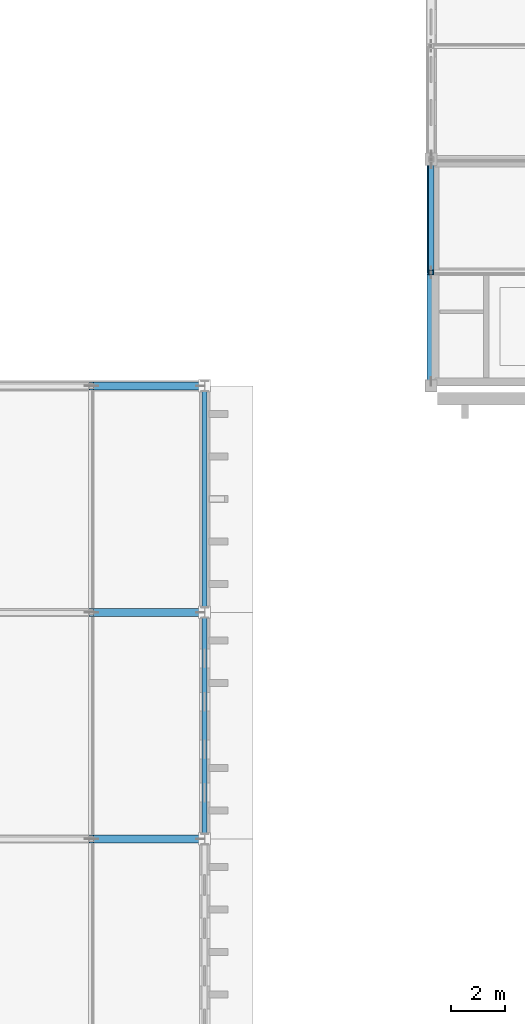
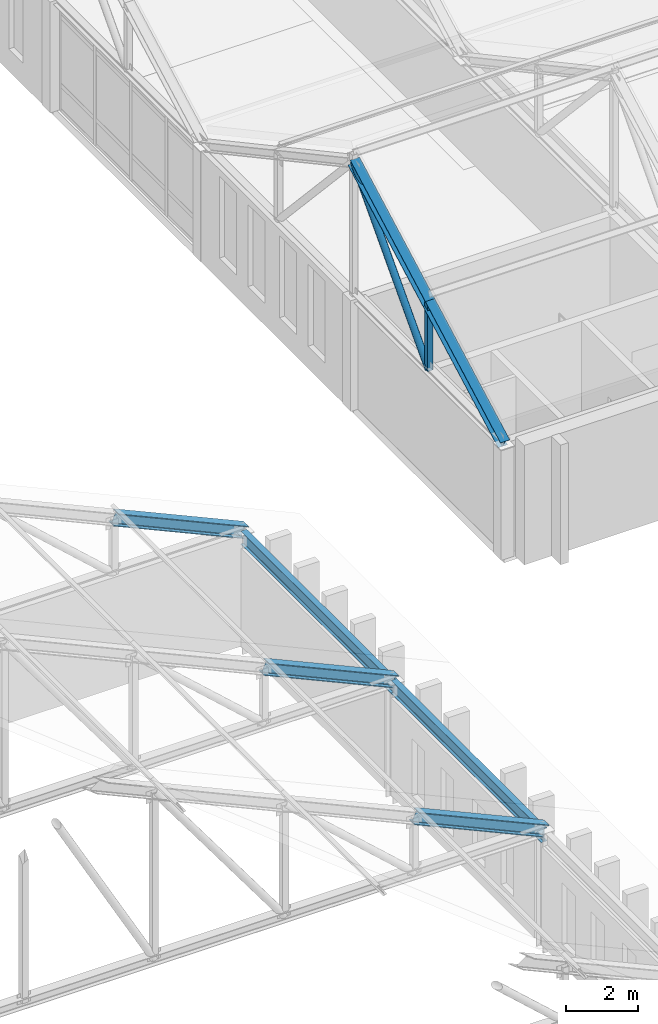
# One storey, part 25 of 110: 7 members, 2 beams.
"""IFC4 building model written with IfcOpenShell, lengths in metres."""

from ifc_helpers import new_model, si_unit, direction, frame, origin, origin_2d, place, context, subcontext, project, spatial, hollow_rectangle, hollow_circle, i_section, extrude, material, material_profile, profile_set, type_object, element, save


model = new_model("IFC4")

# Units and contexts
model_context = context("Model", 3, precision=1e-05, world=origin(), true_north=direction((0.0, 1.0)))
body_context = subcontext(model_context, "Body", "Model", "MODEL_VIEW")
ifc_project = project(units=[si_unit("LENGTHUNIT", "METRE"), si_unit("AREAUNIT", "SQUARE_METRE"), si_unit("VOLUMEUNIT", "CUBIC_METRE"), si_unit("PLANEANGLEUNIT", "RADIAN"), si_unit("MASSUNIT", "GRAM", prefix="KILO")], contexts=[model_context])

# Site, building, storey
site_placement = place(None, origin())
site = spatial("IfcSite", under=ifc_project, at=site_placement, CompositionType="ELEMENT")
building_placement = place(site_placement, origin())
building = spatial("IfcBuilding", under=site, at=building_placement, Name="Kveldsbrygga Polytechnic", CompositionType="ELEMENT")
storey_placement = place(building_placement, frame((0.0, 0.0, 9.860107421875)))
storey = spatial("IfcBuildingStorey", under=building, at=storey_placement, Name="L02", CompositionType="ELEMENT", Elevation=9.860107421875)

# Beams
ifc_material = material(Name="Steel S355", Category="steel")
ifc_material_profile_1 = material_profile(ifc_material, i_section(OverallWidth=0.18994140625, OverallDepth=0.449951171875, WebThickness=0.009521484375, FlangeThickness=0.0146484375, FilletRadius=0.02099609375, at=origin_2d()), Name="IPE 450")
ifc_profile_set_1 = profile_set([ifc_material_profile_1], Name="Steel S355")
beam_type = type_object("IfcBeamType", Name="BM-STL-IPE450", PredefinedType="BEAM", material=ifc_profile_set_1)
beam_1_placement = place(storey_placement, frame((33.60009765625, 67.199951171875, 3.554931640625), z_axis=(0.0, 1.0, 0.0), x_axis=(-1.0, 0.0, 0.0)))
element("IfcBeam", 1, at=beam_1_placement, inside=storey, type_object=beam_type, Name="Workshop Eaves Beam BMY-V1EAV-E-08", PredefinedType="BEAM", context=body_context, shape_type="SweptSolid", body=[
    extrude(i_section(OverallWidth=0.18994140625, OverallDepth=0.449951171875, WebThickness=0.009521484375, FlangeThickness=0.0146484375, FilletRadius=0.02099609375, at=origin_2d()), origin(), (0.0, 0.0, 1.0), 8.400146484375),
])
beam_2_placement = place(storey_placement, frame((33.60009765625, 75.60009765625, 3.554931640625), z_axis=(0.0, 1.0, 0.0), x_axis=(-1.0, 0.0, 0.0)))
element("IfcBeam", 2, at=beam_2_placement, inside=storey, type_object=beam_type, Name="Workshop Eaves Beam BMY-V1EAV-E-09", PredefinedType="BEAM", context=body_context, shape_type="SweptSolid", body=[
    extrude(i_section(OverallWidth=0.18994140625, OverallDepth=0.449951171875, WebThickness=0.009521484375, FlangeThickness=0.0146484375, FilletRadius=0.02099609375, at=origin_2d()), origin(), (0.0, 0.0, 1.0), 8.39990234375),
])

# Members
ifc_material_profile_2 = material_profile(ifc_material, hollow_circle(Radius=0.109619140625, WallThickness=0.012451171875, at=origin_2d()), Name="CHS 219.1x12.5")
ifc_profile_set_2 = profile_set([ifc_material_profile_2], Name="Steel S355")
member_type_1 = type_object("IfcMemberType", Name="TR-DIAG-CHS219", PredefinedType="BRACE", material=ifc_profile_set_2)
member_1_placement = place(storey_placement, frame((42.0, 88.199951171875, 3.77978515625), z_axis=(0.0, 0.678271914864, 0.734811002576), x_axis=(-1.0, 0.0, 0.0)))
element("IfcMember", 3, at=member_1_placement, inside=storey, type_object=member_type_1, Name="Truss Diagonal V2L1-T01-DG-2", PredefinedType="BRACE", context=body_context, shape_type="SweptSolid", body=[
    extrude(hollow_circle(Radius=0.109619140625, WallThickness=0.012451171875, at=origin_2d()), origin(), (0.0, 0.0, 1.0), 6.192138671875),
])
ifc_material_profile_3 = material_profile(ifc_material, hollow_rectangle(XDim=0.179931640625, YDim=0.179931640625, WallThickness=0.010009765625, at=origin_2d()), Name="SHS 180x180x10.0")
ifc_profile_set_3 = profile_set([ifc_material_profile_3], Name="Steel S355")
member_type_2 = type_object("IfcMemberType", Name="TR-POST-SHS180", PredefinedType="STRUT", material=ifc_profile_set_3)
member_2_placement = place(storey_placement, frame((42.0, 88.199951171875, 3.77978515625), z_axis=(0.0, 0.0, 1.0), x_axis=(1.0, 0.0, 0.0)))
element("IfcMember", 4, at=member_2_placement, inside=storey, type_object=member_type_2, Name="Truss Vertical V2L1-T01-VT-1", PredefinedType="STRUT", context=body_context, shape_type="SweptSolid", body=[
    extrude(hollow_rectangle(XDim=0.179931640625, YDim=0.179931640625, WallThickness=0.010009765625, at=origin_2d()), origin(), (0.0, 0.0, 1.0), 2.275146484375),
])
ifc_material_profile_4 = material_profile(ifc_material, i_section(OverallWidth=0.300048828125, OverallDepth=0.2900390625, WebThickness=0.008544921875, FlangeThickness=0.013916015625, FilletRadius=0.027099609375, at=origin_2d()), Name="HEA 300")
ifc_profile_set_4 = profile_set([ifc_material_profile_4], Name="Steel S355")
member_type_3 = type_object("IfcMemberType", Name="TR-TOP-HEA300", PredefinedType="CHORD", material=ifc_profile_set_4)
member_3_placement = place(storey_placement, frame((42.0, 84.0, 3.77978515625), z_axis=(0.0, 0.879276804059, 0.476311139744), x_axis=(-1.0, 0.0, 0.0)))
element("IfcMember", 5, at=member_3_placement, inside=storey, type_object=member_type_3, Name="Truss Top Chord V2L1-T01-TC-1", PredefinedType="CHORD", context=body_context, shape_type="SweptSolid", body=[
    extrude(i_section(OverallWidth=0.300048828125, OverallDepth=0.2900390625, WebThickness=0.008544921875, FlangeThickness=0.013916015625, FilletRadius=0.027099609375, at=origin_2d()), origin(), (0.0, 0.0, 1.0), 4.776611328125),
])
member_4_placement = place(storey_placement, frame((42.0, 88.199951171875, 6.054931640625), z_axis=(0.0, 0.879298209803, 0.47627162233), x_axis=(-1.0, 0.0, 0.0)))
element("IfcMember", 6, at=member_4_placement, inside=storey, type_object=member_type_3, Name="Truss Top Chord V2L1-T01-TC-2", PredefinedType="CHORD", context=body_context, shape_type="SweptSolid", body=[
    extrude(i_section(OverallWidth=0.300048828125, OverallDepth=0.2900390625, WebThickness=0.008544921875, FlangeThickness=0.013916015625, FilletRadius=0.027099609375, at=origin_2d()), origin(), (0.0, 0.0, 1.0), 4.7763671875),
])
ifc_material_profile_5 = material_profile(ifc_material, i_section(OverallWidth=0.300048828125, OverallDepth=0.39990234375, WebThickness=0.013427734375, FlangeThickness=0.02392578125, FilletRadius=0.027099609375, at=origin_2d()), Name="HEB 400")
ifc_profile_set_5 = profile_set([ifc_material_profile_5], Name="Steel S355")
member_type_4 = type_object("IfcMemberType", Name="TR-TOP-HEB400", PredefinedType="CHORD", material=ifc_profile_set_5)
for number, where, z_axis, x_axis, name in (
    (7, (29.39990234375, 67.199951171875, 5.679931640625), (0.911103187639, 0.0, -0.412178336979), (0.0, 1.0, 0.0), "Truss Top Chord V1W-T06-TC-8"),
    (8, (29.39990234375, 75.60009765625, 5.679931640625), (0.911103187639, 0.0, -0.412178336979), (0.0, 1.0, 0.0), "Truss Top Chord V1W-T07-TC-8"),
    (9, (29.39990234375, 84.0, 5.679931640625), (0.911103187639, 0.0, -0.412178336979), (0.0, 1.0, 0.0), "Truss Top Chord V1W-T08-TC-8"),
):
    element("IfcMember", number, at=place(storey_placement, frame(where, z_axis=z_axis, x_axis=x_axis)), inside=storey, type_object=member_type_4, Name=name, PredefinedType="CHORD", context=body_context, shape_type="SweptSolid", body=[
        extrude(i_section(OverallWidth=0.300048828125, OverallDepth=0.39990234375, WebThickness=0.013427734375, FlangeThickness=0.02392578125, FilletRadius=0.027099609375, at=origin_2d()), origin(), (0.0, 0.0, 1.0), 4.610107421875),
    ])

save(model, "model.ifc")
